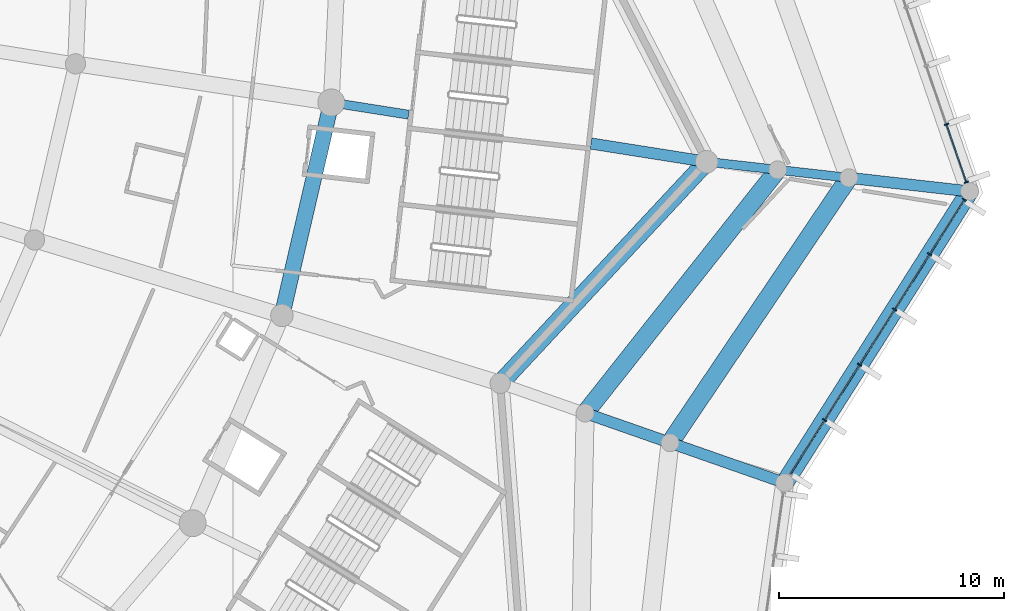
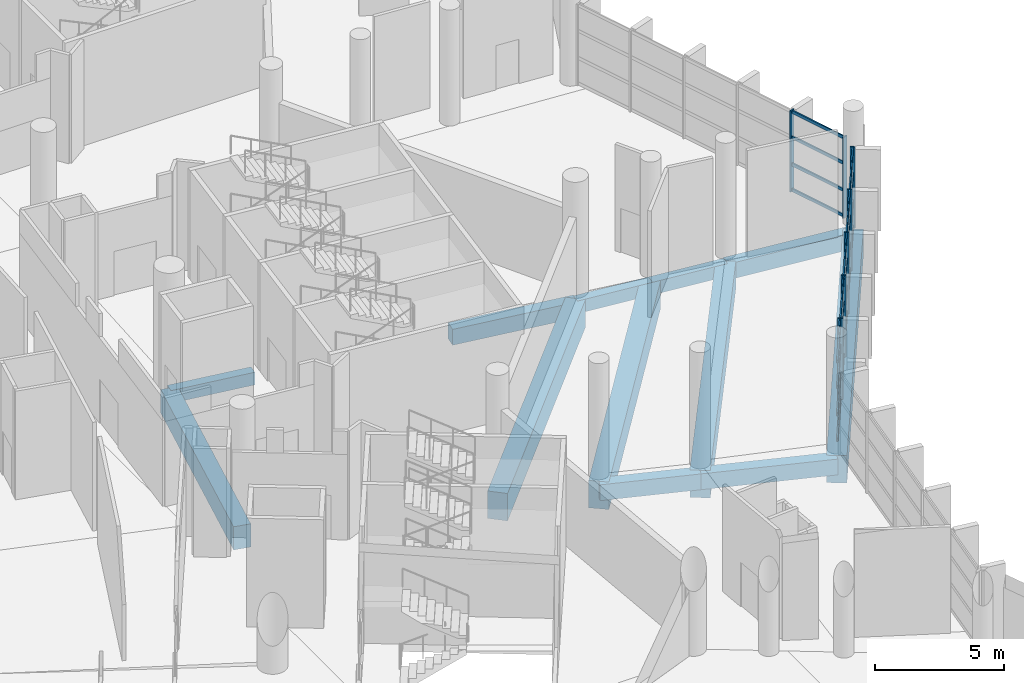
# One storey, part 53 of 271: 31 members, 12 beams, 2 elements without a shape of their own.
"""IFC4 building model written with IfcOpenShell, lengths in metres."""

from ifc_helpers import new_model, si_unit, direction, frame, origin, origin_2d, place, context, subcontext, project, spatial, rectangle, extrude, material, layer, layer_set, material_profile, profile_set, type_object, element, aggregate, save


model = new_model("IFC4")

# Units and contexts
model_context = context("Model", 3, precision=1e-05, world=origin(), true_north=direction((0.0, 1.0)))
body_context = subcontext(model_context, "Body", "Model", "MODEL_VIEW")
ifc_project = project(units=[si_unit("LENGTHUNIT", "METRE"), si_unit("AREAUNIT", "SQUARE_METRE"), si_unit("VOLUMEUNIT", "CUBIC_METRE"), si_unit("PLANEANGLEUNIT", "RADIAN"), si_unit("MASSUNIT", "GRAM", prefix="KILO")], contexts=[model_context])

# Site, building, storey
site_placement = place(None, origin())
site = spatial("IfcSite", under=ifc_project, at=site_placement, CompositionType="ELEMENT")
building_placement = place(site_placement, origin())
building = spatial("IfcBuilding", under=site, at=building_placement, Name="Meseta Stadium", CompositionType="ELEMENT")
storey_placement = place(building_placement, frame((0.0, 0.0, 6.5)))
storey = spatial("IfcBuildingStorey", under=building, at=storey_placement, Name="L01", CompositionType="ELEMENT", Elevation=6.5)

# Beams
ifc_material_1 = material(Name="Concrete C40/50", Category="concrete")
ifc_material_profile_1 = material_profile(ifc_material_1, rectangle(XDim=0.39990234375, YDim=0.60009765625, at=origin_2d()), Name="RC 400x600")
ifc_profile_set_1 = profile_set([ifc_material_profile_1], Name="Concrete C40/50")
beam_type_1 = type_object("IfcBeamType", Name="RC beam 400x600", PredefinedType="BEAM", material=ifc_profile_set_1)
beam_1_placement = place(storey_placement, frame((84.36328125, -53.5654296875, -0.64990234375), z_axis=(0.987745905014, -0.156070583799, 0.0), x_axis=(0.156070583799, 0.987745905014, 0.0)))
element("IfcBeam", 1, at=beam_1_placement, inside=storey, type_object=beam_type_1, Name="L01 radial beam frame 0 line P to R", PredefinedType="BEAM", context=body_context, shape_type="SweptSolid", body=[
    extrude(rectangle(XDim=0.39990234375, YDim=0.60009765625, at=origin_2d()), origin(), (0.0, 0.0, 1.0), 3.482177734375),
])
beam_2_placement = place(storey_placement, frame((101.0517578125, -56.202880859375, -0.64990234375), z_axis=(0.99371595508, -0.111931231652, 0.0), x_axis=(0.111931231652, 0.99371595508, 0.0)))
element("IfcBeam", 2, at=beam_2_placement, inside=storey, type_object=beam_type_1, Name="L01 radial beam frame 0 line R to M", PredefinedType="BEAM", context=body_context, shape_type="SweptSolid", body=[
    extrude(rectangle(XDim=0.39990234375, YDim=0.60009765625, at=origin_2d()), origin(), (0.0, 0.0, 1.0), 3.18017578125),
])
beam_3_placement = place(storey_placement, frame((104.2119140625, -56.558837890625, -0.64990234375), z_axis=(0.993708376267, -0.111998495247, 0.0), x_axis=(0.111998495247, 0.993708376267, 0.0)))
element("IfcBeam", 3, at=beam_3_placement, inside=storey, type_object=beam_type_1, Name="L01 radial beam frame 0 line M to Q", PredefinedType="BEAM", context=body_context, shape_type="SweptSolid", body=[
    extrude(rectangle(XDim=0.39990234375, YDim=0.60009765625, at=origin_2d()), origin(), (0.0, 0.0, 1.0), 3.180419921875),
])
ifc_material_2 = material(Name="Concrete C40/50", Category="concrete")
ifc_material_profile_2 = material_profile(ifc_material_2, rectangle(XDim=0.5, YDim=0.75, at=origin_2d()), Name="RC 500x750")
ifc_profile_set_2 = profile_set([ifc_material_profile_2], Name="Concrete C40/50")
beam_type_2 = type_object("IfcBeamType", Name="RC beam 500x750", PredefinedType="BEAM", material=ifc_profile_set_2)
beam_4_placement = place(storey_placement, frame((95.910400390625, -55.390380859375, -0.72509765625), z_axis=(0.987742039994, -0.156095042932, 0.0), x_axis=(0.156095042932, 0.987742039994, 0.0)))
element("IfcBeam", 4, at=beam_4_placement, inside=storey, type_object=beam_type_2, Name="L01 radial beam frame 0 line P to R", PredefinedType="BEAM", context=body_context, shape_type="SweptSolid", body=[
    extrude(rectangle(XDim=0.5, YDim=0.75, at=origin_2d()), origin(), (0.0, 0.0, 1.0), 5.205078125),
])
beam_5_placement = place(storey_placement, frame((107.372314453125, -56.9150390625, -0.72509765625), z_axis=(0.993714415722, -0.111944897098, 0.0), x_axis=(0.111944897098, 0.993714415722, 0.0)))
element("IfcBeam", 5, at=beam_5_placement, inside=storey, type_object=beam_type_2, Name="L01 radial beam frame 0 line Q to O", PredefinedType="BEAM", context=body_context, shape_type="SweptSolid", body=[
    extrude(rectangle(XDim=0.5, YDim=0.75, at=origin_2d()), origin(), (0.0, 0.0, 1.0), 5.39990234375),
])
beam_6_placement = place(storey_placement, frame((95.648193359375, -67.372802734375, -0.72509765625), z_axis=(0.94389165523, -0.330255269735, 0.0), x_axis=(0.330255269735, 0.94389165523, 0.0)))
element("IfcBeam", 6, at=beam_6_placement, inside=storey, type_object=beam_type_2, Name="L01 radial beam frame 55 line M to Q", PredefinedType="BEAM", context=body_context, shape_type="SweptSolid", body=[
    extrude(rectangle(XDim=0.5, YDim=0.75, at=origin_2d()), origin(), (0.0, 0.0, 1.0), 4.0),
])
beam_7_placement = place(storey_placement, frame((99.423828125, -68.69384765625, -0.72509765625), z_axis=(0.943885842652, -0.330271882003, 0.0), x_axis=(0.330271882003, 0.943885842652, 0.0)))
element("IfcBeam", 7, at=beam_7_placement, inside=storey, type_object=beam_type_2, Name="L01 radial beam frame 55 line Q to O", PredefinedType="BEAM", context=body_context, shape_type="SweptSolid", body=[
    extrude(rectangle(XDim=0.5, YDim=0.75, at=origin_2d()), origin(), (0.0, 0.0, 1.0), 5.39990234375),
])
ifc_material_3 = material(Name="Concrete C40/50", Category="concrete")
ifc_material_profile_3 = material_profile(ifc_material_3, rectangle(XDim=0.699951171875, YDim=1.10009765625, at=origin_2d()), Name="RC 700x1100")
ifc_profile_set_3 = profile_set([ifc_material_profile_3], Name="Concrete C40/50")
beam_type_3 = type_object("IfcBeamType", Name="RC beam 700x1100", PredefinedType="BEAM", material=ifc_profile_set_3)
beam_8_placement = place(storey_placement, frame((82.169189453125, -63.03369140625, -0.89990234375), z_axis=(0.225749180431, 0.974185458491, 0.0), x_axis=(-0.974185458491, 0.225749180431, 0.0)))
element("IfcBeam", 8, at=beam_8_placement, inside=storey, type_object=beam_type_3, Name="L01 ring beam frame 55 line P", PredefinedType="BEAM", context=body_context, shape_type="SweptSolid", body=[
    extrude(rectangle(XDim=0.699951171875, YDim=1.10009765625, at=origin_2d()), origin(), (0.0, 0.0, 1.0), 9.71923828125),
])
ifc_material_4 = material(Name="Concrete C40/50", Category="concrete")
ifc_material_profile_4 = material_profile(ifc_material_4, rectangle(XDim=0.800048828125, YDim=1.300048828125, at=origin_2d()), Name="RC 800x1300")
ifc_profile_set_4 = profile_set([ifc_material_profile_4], Name="Concrete C40/50")
beam_type_4 = type_object("IfcBeamType", Name="RC beam 800x1300", PredefinedType="BEAM", material=ifc_profile_set_4)
beam_9_placement = place(storey_placement, frame((91.872802734375, -66.051513671875, -1.0), z_axis=(0.681797952889, 0.73154053301, 0.0), x_axis=(-0.73154053301, 0.681797952889, 0.0)))
element("IfcBeam", 9, at=beam_9_placement, inside=storey, type_object=beam_type_4, Name="L01 ring beam frame 55 line R", PredefinedType="BEAM", context=body_context, shape_type="SweptSolid", body=[
    extrude(rectangle(XDim=0.800048828125, YDim=1.300048828125, at=origin_2d()), origin(), (0.0, 0.0, 1.0), 13.462890625),
])
beam_10_placement = place(storey_placement, frame((95.648193359375, -67.372802734375, -1.0), z_axis=(0.620821710153, 0.783951786912, 0.0), x_axis=(-0.783951786912, 0.620821710153, 0.0)))
element("IfcBeam", 10, at=beam_10_placement, inside=storey, type_object=beam_type_4, Name="L01 ring beam frame 55 line M", PredefinedType="BEAM", context=body_context, shape_type="SweptSolid", body=[
    extrude(rectangle(XDim=0.800048828125, YDim=1.300048828125, at=origin_2d()), origin(), (0.0, 0.0, 1.0), 13.794189453125),
])
beam_11_placement = place(storey_placement, frame((99.423828125, -68.69384765625, -1.0), z_axis=(0.559366030795, 0.828920770395, 0.0), x_axis=(-0.828920770395, 0.559366030795, 0.0)))
element("IfcBeam", 11, at=beam_11_placement, inside=storey, type_object=beam_type_4, Name="L01 ring beam frame 55 line Q", PredefinedType="BEAM", context=body_context, shape_type="SweptSolid", body=[
    extrude(rectangle(XDim=0.800048828125, YDim=1.300048828125, at=origin_2d()), origin(), (0.0, 0.0, 1.0), 14.209716796875),
])
beam_12_placement = place(storey_placement, frame((104.520751953125, -70.477294921875, -1.0), z_axis=(0.535561122927, 0.844496467493, 0.0), x_axis=(-0.844496467493, 0.535561122927, 0.0)))
element("IfcBeam", 12, at=beam_12_placement, inside=storey, type_object=beam_type_4, Name="L01 ring beam frame 55 line O", PredefinedType="BEAM", context=body_context, shape_type="SweptSolid", body=[
    extrude(rectangle(XDim=0.800048828125, YDim=1.300048828125, at=origin_2d()), origin(), (0.0, 0.0, 1.0), 15.34375),
])

# Curtain wall, members
ifc_material_5 = material(Name="Aluminium", Category="aluminium")
ifc_layer = layer(ifc_material_5, 0.199951171875)
ifc_layer_set = layer_set([ifc_layer], Name="Ring shopfront curtain wall")
curtain_wall_type = type_object("IfcCurtainWallType", Name="Ring shopfront curtain wall", PredefinedType="NOTDEFINED", material=ifc_layer_set)
curtain_wall_1_placement = place(storey_placement, origin())
curtain_wall_1 = element("IfcCurtainWall", 13, at=curtain_wall_1_placement, inside=storey, type_object=curtain_wall_type, Name="Ring glazing L01 F55", PredefinedType="NOTDEFINED")
ifc_material_6 = material(Name="Aluminium", Category="aluminium")
ifc_material_profile_5 = material_profile(ifc_material_6, rectangle(XDim=0.199951171875, YDim=0.06005859375, at=origin_2d()), Name="CW 200x60")
ifc_profile_set_5 = profile_set([ifc_material_profile_5], Name="Aluminium")
member_type_1 = type_object("IfcMemberType", Name="Ring CW mullion 60x200", PredefinedType="MULLION", material=ifc_profile_set_5)
member_1_placement = place(storey_placement, frame((106.292724609375, -67.68310546875, 0.0), z_axis=(0.0, 0.0, 1.0), x_axis=(-0.844491436677, 0.535569055659, 0.0)))
member_1 = element("IfcMember", 14, at=member_1_placement, type_object=member_type_1, Name="CWR1 mullion 2", PredefinedType="MULLION", context=body_context, shape_type="SweptSolid", body=[
    extrude(rectangle(XDim=0.199951171875, YDim=0.06005859375, at=origin_2d()), origin(), (0.0, 0.0, 1.0), 3.85009765625),
])
member_2_placement = place(storey_placement, frame((107.8505859375, -65.2265625, 0.0), z_axis=(0.0, 0.0, 1.0), x_axis=(-0.844491436677, 0.535569055659, 0.0)))
member_2 = element("IfcMember", 15, at=member_2_placement, type_object=member_type_1, Name="CWR1 mullion 3", PredefinedType="MULLION", context=body_context, shape_type="SweptSolid", body=[
    extrude(rectangle(XDim=0.199951171875, YDim=0.06005859375, at=origin_2d()), origin(), (0.0, 0.0, 1.0), 3.85009765625),
])
member_3_placement = place(storey_placement, frame((109.408447265625, -62.770263671875, 0.0), z_axis=(0.0, 0.0, 1.0), x_axis=(-0.844491436677, 0.535569055659, 0.0)))
member_3 = element("IfcMember", 16, at=member_3_placement, type_object=member_type_1, Name="CWR1 mullion 4", PredefinedType="MULLION", context=body_context, shape_type="SweptSolid", body=[
    extrude(rectangle(XDim=0.199951171875, YDim=0.06005859375, at=origin_2d()), origin(), (0.0, 0.0, 1.0), 3.85009765625),
])
member_4_placement = place(storey_placement, frame((110.96630859375, -60.313720703125, 0.0), z_axis=(0.0, 0.0, 1.0), x_axis=(-0.844491436677, 0.535569055659, 0.0)))
member_4 = element("IfcMember", 17, at=member_4_placement, type_object=member_type_1, Name="CWR1 mullion 5", PredefinedType="MULLION", context=body_context, shape_type="SweptSolid", body=[
    extrude(rectangle(XDim=0.199951171875, YDim=0.06005859375, at=origin_2d()), origin(), (0.0, 0.0, 1.0), 3.85009765625),
])
member_5_placement = place(storey_placement, frame((112.508056640625, -57.8828125, 0.0), z_axis=(0.0, 0.0, 1.0), x_axis=(-0.844491436677, 0.535569055659, 0.0)))
member_5 = element("IfcMember", 18, at=member_5_placement, type_object=member_type_1, Name="CWR1 mullion 6", PredefinedType="MULLION", context=body_context, shape_type="SweptSolid", body=[
    extrude(rectangle(XDim=0.199951171875, YDim=0.06005859375, at=origin_2d()), origin(), (0.0, 0.0, 1.0), 3.85009765625),
])

curtain_wall_2_placement = place(storey_placement, origin())
curtain_wall_2 = element("IfcCurtainWall", 19, at=curtain_wall_2_placement, inside=storey, type_object=curtain_wall_type, Name="Ring glazing L01 F00", PredefinedType="NOTDEFINED")
member_6_placement = place(storey_placement, frame((112.598388671875, -57.113037109375, 0.0), z_axis=(0.0, 0.0, 1.0), x_axis=(-0.945581280042, -0.325385990532, 0.0)))
member_6 = element("IfcMember", 20, at=member_6_placement, type_object=member_type_1, Name="CWR1 mullion 1", PredefinedType="MULLION", context=body_context, shape_type="SweptSolid", body=[
    extrude(rectangle(XDim=0.199951171875, YDim=0.06005859375, at=origin_2d()), origin(), (0.0, 0.0, 1.0), 3.85009765625),
])
member_7_placement = place(storey_placement, frame((111.712646484375, -54.538818359375, 0.0), z_axis=(0.0, 0.0, 1.0), x_axis=(-0.945581280042, -0.325385990532, 0.0)))
member_7 = element("IfcMember", 21, at=member_7_placement, type_object=member_type_1, Name="CWR1 mullion 2", PredefinedType="MULLION", context=body_context, shape_type="SweptSolid", body=[
    extrude(rectangle(XDim=0.199951171875, YDim=0.06005859375, at=origin_2d()), origin(), (0.0, 0.0, 1.0), 3.85009765625),
])

# Member
ifc_material_7 = material(Name="Aluminium", Category="aluminium")
ifc_material_profile_6 = material_profile(ifc_material_7, rectangle(XDim=0.06005859375, YDim=0.14990234375, at=origin_2d()), Name="CW 60x150")
ifc_profile_set_6 = profile_set([ifc_material_profile_6], Name="Aluminium")
member_type_2 = type_object("IfcMemberType", Name="Ring CW transom 60x150", PredefinedType="USERDEFINED", material=ifc_profile_set_6)
member_8_placement = place(storey_placement, frame((104.76708984375, -70.0888671875, 0.074951171875), z_axis=(0.53560831474, 0.844466537632, 0.0), x_axis=(-0.844466537632, 0.53560831474, 0.0)))
member_8 = element("IfcMember", 22, at=member_8_placement, type_object=member_type_2, Name="CWR1 transom 1.1", ObjectType="TRANSOM", PredefinedType="USERDEFINED", context=body_context, shape_type="SweptSolid", body=[
    extrude(rectangle(XDim=0.06005859375, YDim=0.14990234375, at=origin_2d()), origin(), (0.0, 0.0, 1.0), 2.81884765625),
])

member_9_placement = place(storey_placement, frame((104.76708984375, -70.0888671875, 1.283447265625), z_axis=(0.53560831474, 0.844466537632, 0.0), x_axis=(-0.844466537632, 0.53560831474, 0.0)))
member_9 = element("IfcMember", 23, at=member_9_placement, type_object=member_type_2, Name="CWR1 transom 1.2", ObjectType="TRANSOM", PredefinedType="USERDEFINED", context=body_context, shape_type="SweptSolid", body=[
    extrude(rectangle(XDim=0.06005859375, YDim=0.14990234375, at=origin_2d()), origin(), (0.0, 0.0, 1.0), 2.81884765625),
])

member_10_placement = place(storey_placement, frame((104.76708984375, -70.0888671875, 2.566650390625), z_axis=(0.53560831474, 0.844466537632, 0.0), x_axis=(-0.844466537632, 0.53560831474, 0.0)))
member_10 = element("IfcMember", 24, at=member_10_placement, type_object=member_type_2, Name="CWR1 transom 1.3", ObjectType="TRANSOM", PredefinedType="USERDEFINED", context=body_context, shape_type="SweptSolid", body=[
    extrude(rectangle(XDim=0.06005859375, YDim=0.14990234375, at=origin_2d()), origin(), (0.0, 0.0, 1.0), 2.81884765625),
])

member_11_placement = place(storey_placement, frame((104.76708984375, -70.0888671875, 3.77490234375), z_axis=(0.53560831474, 0.844466537632, 0.0), x_axis=(-0.844466537632, 0.53560831474, 0.0)))
member_11 = element("IfcMember", 25, at=member_11_placement, type_object=member_type_2, Name="CWR1 transom 1.4", ObjectType="TRANSOM", PredefinedType="USERDEFINED", context=body_context, shape_type="SweptSolid", body=[
    extrude(rectangle(XDim=0.06005859375, YDim=0.14990234375, at=origin_2d()), origin(), (0.0, 0.0, 1.0), 2.81884765625),
])

member_12_placement = place(storey_placement, frame((106.308837890625, -67.65771484375, 0.074951171875), z_axis=(0.535610596293, 0.844465090539, 0.0), x_axis=(-0.844465090539, 0.535610596293, 0.0)))
member_12 = element("IfcMember", 26, at=member_12_placement, type_object=member_type_2, Name="CWR1 transom 2.1", ObjectType="TRANSOM", PredefinedType="USERDEFINED", context=body_context, shape_type="SweptSolid", body=[
    extrude(rectangle(XDim=0.06005859375, YDim=0.14990234375, at=origin_2d()), origin(), (0.0, 0.0, 1.0), 2.848876953125),
])

member_13_placement = place(storey_placement, frame((106.308837890625, -67.65771484375, 1.283447265625), z_axis=(0.535610596293, 0.844465090539, 0.0), x_axis=(-0.844465090539, 0.535610596293, 0.0)))
member_13 = element("IfcMember", 27, at=member_13_placement, type_object=member_type_2, Name="CWR1 transom 2.2", ObjectType="TRANSOM", PredefinedType="USERDEFINED", context=body_context, shape_type="SweptSolid", body=[
    extrude(rectangle(XDim=0.06005859375, YDim=0.14990234375, at=origin_2d()), origin(), (0.0, 0.0, 1.0), 2.848876953125),
])

member_14_placement = place(storey_placement, frame((106.308837890625, -67.65771484375, 2.566650390625), z_axis=(0.535610596293, 0.844465090539, 0.0), x_axis=(-0.844465090539, 0.535610596293, 0.0)))
member_14 = element("IfcMember", 28, at=member_14_placement, type_object=member_type_2, Name="CWR1 transom 2.3", ObjectType="TRANSOM", PredefinedType="USERDEFINED", context=body_context, shape_type="SweptSolid", body=[
    extrude(rectangle(XDim=0.06005859375, YDim=0.14990234375, at=origin_2d()), origin(), (0.0, 0.0, 1.0), 2.848876953125),
])

member_15_placement = place(storey_placement, frame((106.308837890625, -67.65771484375, 3.77490234375), z_axis=(0.535610596293, 0.844465090539, 0.0), x_axis=(-0.844465090539, 0.535610596293, 0.0)))
member_15 = element("IfcMember", 29, at=member_15_placement, type_object=member_type_2, Name="CWR1 transom 2.4", ObjectType="TRANSOM", PredefinedType="USERDEFINED", context=body_context, shape_type="SweptSolid", body=[
    extrude(rectangle(XDim=0.06005859375, YDim=0.14990234375, at=origin_2d()), origin(), (0.0, 0.0, 1.0), 2.848876953125),
])

member_16_placement = place(storey_placement, frame((107.86669921875, -65.201416015625, 0.074951171875), z_axis=(0.535549479234, 0.844503851556, 0.0), x_axis=(-0.844503851556, 0.535549479234, 0.0)))
member_16 = element("IfcMember", 30, at=member_16_placement, type_object=member_type_2, Name="CWR1 transom 3.1", ObjectType="TRANSOM", PredefinedType="USERDEFINED", context=body_context, shape_type="SweptSolid", body=[
    extrude(rectangle(XDim=0.06005859375, YDim=0.14990234375, at=origin_2d()), origin(), (0.0, 0.0, 1.0), 2.8486328125),
])

member_17_placement = place(storey_placement, frame((107.86669921875, -65.201416015625, 1.283447265625), z_axis=(0.535549479234, 0.844503851556, 0.0), x_axis=(-0.844503851556, 0.535549479234, 0.0)))
member_17 = element("IfcMember", 31, at=member_17_placement, type_object=member_type_2, Name="CWR1 transom 3.2", ObjectType="TRANSOM", PredefinedType="USERDEFINED", context=body_context, shape_type="SweptSolid", body=[
    extrude(rectangle(XDim=0.06005859375, YDim=0.14990234375, at=origin_2d()), origin(), (0.0, 0.0, 1.0), 2.8486328125),
])

member_18_placement = place(storey_placement, frame((107.86669921875, -65.201416015625, 2.566650390625), z_axis=(0.535549479234, 0.844503851556, 0.0), x_axis=(-0.844503851556, 0.535549479234, 0.0)))
member_18 = element("IfcMember", 32, at=member_18_placement, type_object=member_type_2, Name="CWR1 transom 3.3", ObjectType="TRANSOM", PredefinedType="USERDEFINED", context=body_context, shape_type="SweptSolid", body=[
    extrude(rectangle(XDim=0.06005859375, YDim=0.14990234375, at=origin_2d()), origin(), (0.0, 0.0, 1.0), 2.8486328125),
])

member_19_placement = place(storey_placement, frame((107.86669921875, -65.201416015625, 3.77490234375), z_axis=(0.535549479234, 0.844503851556, 0.0), x_axis=(-0.844503851556, 0.535549479234, 0.0)))
member_19 = element("IfcMember", 33, at=member_19_placement, type_object=member_type_2, Name="CWR1 transom 3.4", ObjectType="TRANSOM", PredefinedType="USERDEFINED", context=body_context, shape_type="SweptSolid", body=[
    extrude(rectangle(XDim=0.06005859375, YDim=0.14990234375, at=origin_2d()), origin(), (0.0, 0.0, 1.0), 2.8486328125),
])

member_20_placement = place(storey_placement, frame((109.424560546875, -62.744873046875, 0.074951171875), z_axis=(0.535549479234, 0.844503851556, 0.0), x_axis=(-0.844503851556, 0.535549479234, 0.0)))
member_20 = element("IfcMember", 34, at=member_20_placement, type_object=member_type_2, Name="CWR1 transom 4.1", ObjectType="TRANSOM", PredefinedType="USERDEFINED", context=body_context, shape_type="SweptSolid", body=[
    extrude(rectangle(XDim=0.06005859375, YDim=0.14990234375, at=origin_2d()), origin(), (0.0, 0.0, 1.0), 2.8486328125),
])

member_21_placement = place(storey_placement, frame((109.424560546875, -62.744873046875, 1.283447265625), z_axis=(0.535549479234, 0.844503851556, 0.0), x_axis=(-0.844503851556, 0.535549479234, 0.0)))
member_21 = element("IfcMember", 35, at=member_21_placement, type_object=member_type_2, Name="CWR1 transom 4.2", ObjectType="TRANSOM", PredefinedType="USERDEFINED", context=body_context, shape_type="SweptSolid", body=[
    extrude(rectangle(XDim=0.06005859375, YDim=0.14990234375, at=origin_2d()), origin(), (0.0, 0.0, 1.0), 2.8486328125),
])

member_22_placement = place(storey_placement, frame((109.424560546875, -62.744873046875, 2.566650390625), z_axis=(0.535549479234, 0.844503851556, 0.0), x_axis=(-0.844503851556, 0.535549479234, 0.0)))
member_22 = element("IfcMember", 36, at=member_22_placement, type_object=member_type_2, Name="CWR1 transom 4.3", ObjectType="TRANSOM", PredefinedType="USERDEFINED", context=body_context, shape_type="SweptSolid", body=[
    extrude(rectangle(XDim=0.06005859375, YDim=0.14990234375, at=origin_2d()), origin(), (0.0, 0.0, 1.0), 2.8486328125),
])

member_23_placement = place(storey_placement, frame((109.424560546875, -62.744873046875, 3.77490234375), z_axis=(0.535549479234, 0.844503851556, 0.0), x_axis=(-0.844503851556, 0.535549479234, 0.0)))
member_23 = element("IfcMember", 37, at=member_23_placement, type_object=member_type_2, Name="CWR1 transom 4.4", ObjectType="TRANSOM", PredefinedType="USERDEFINED", context=body_context, shape_type="SweptSolid", body=[
    extrude(rectangle(XDim=0.06005859375, YDim=0.14990234375, at=origin_2d()), origin(), (0.0, 0.0, 1.0), 2.8486328125),
])

member_24_placement = place(storey_placement, frame((110.982421875, -60.28857421875, 0.074951171875), z_axis=(0.535569142157, 0.84449138182, 0.0), x_axis=(-0.84449138182, 0.535569142157, 0.0)))
member_24 = element("IfcMember", 38, at=member_24_placement, type_object=member_type_2, Name="CWR1 transom 5.1", ObjectType="TRANSOM", PredefinedType="USERDEFINED", context=body_context, shape_type="SweptSolid", body=[
    extrude(rectangle(XDim=0.06005859375, YDim=0.14990234375, at=origin_2d()), origin(), (0.0, 0.0, 1.0), 2.819091796875),
])

member_25_placement = place(storey_placement, frame((110.982421875, -60.28857421875, 1.283447265625), z_axis=(0.535569142157, 0.84449138182, 0.0), x_axis=(-0.84449138182, 0.535569142157, 0.0)))
member_25 = element("IfcMember", 39, at=member_25_placement, type_object=member_type_2, Name="CWR1 transom 5.2", ObjectType="TRANSOM", PredefinedType="USERDEFINED", context=body_context, shape_type="SweptSolid", body=[
    extrude(rectangle(XDim=0.06005859375, YDim=0.14990234375, at=origin_2d()), origin(), (0.0, 0.0, 1.0), 2.819091796875),
])

member_26_placement = place(storey_placement, frame((110.982421875, -60.28857421875, 2.566650390625), z_axis=(0.535569142157, 0.84449138182, 0.0), x_axis=(-0.84449138182, 0.535569142157, 0.0)))
member_26 = element("IfcMember", 40, at=member_26_placement, type_object=member_type_2, Name="CWR1 transom 5.3", ObjectType="TRANSOM", PredefinedType="USERDEFINED", context=body_context, shape_type="SweptSolid", body=[
    extrude(rectangle(XDim=0.06005859375, YDim=0.14990234375, at=origin_2d()), origin(), (0.0, 0.0, 1.0), 2.819091796875),
])

member_27_placement = place(storey_placement, frame((110.982421875, -60.28857421875, 3.77490234375), z_axis=(0.535569142157, 0.84449138182, 0.0), x_axis=(-0.84449138182, 0.535569142157, 0.0)))
member_27 = element("IfcMember", 41, at=member_27_placement, type_object=member_type_2, Name="CWR1 transom 5.4", ObjectType="TRANSOM", PredefinedType="USERDEFINED", context=body_context, shape_type="SweptSolid", body=[
    extrude(rectangle(XDim=0.06005859375, YDim=0.14990234375, at=origin_2d()), origin(), (0.0, 0.0, 1.0), 2.819091796875),
])

aggregate(curtain_wall_1, [member_1, member_2, member_3, member_4, member_5, member_8, member_9, member_10, member_11, member_12, member_13, member_14, member_15, member_16, member_17, member_18, member_19, member_20, member_21, member_22, member_23, member_24, member_25, member_26, member_27])

member_28_placement = place(storey_placement, frame((112.588623046875, -57.084716796875, 0.074951171875), z_axis=(-0.325346281899, 0.945594943332, 0.0), x_axis=(-0.945594943332, -0.325346281899, 0.0)))
member_28 = element("IfcMember", 42, at=member_28_placement, type_object=member_type_2, Name="CWR1 transom 1.1", ObjectType="TRANSOM", PredefinedType="USERDEFINED", context=body_context, shape_type="SweptSolid", body=[
    extrude(rectangle(XDim=0.06005859375, YDim=0.14990234375, at=origin_2d()), origin(), (0.0, 0.0, 1.0), 2.662353515625),
])

member_29_placement = place(storey_placement, frame((112.588623046875, -57.084716796875, 1.283447265625), z_axis=(-0.325346281899, 0.945594943332, 0.0), x_axis=(-0.945594943332, -0.325346281899, 0.0)))
member_29 = element("IfcMember", 43, at=member_29_placement, type_object=member_type_2, Name="CWR1 transom 1.2", ObjectType="TRANSOM", PredefinedType="USERDEFINED", context=body_context, shape_type="SweptSolid", body=[
    extrude(rectangle(XDim=0.06005859375, YDim=0.14990234375, at=origin_2d()), origin(), (0.0, 0.0, 1.0), 2.662353515625),
])

member_30_placement = place(storey_placement, frame((112.588623046875, -57.084716796875, 2.566650390625), z_axis=(-0.325346281899, 0.945594943332, 0.0), x_axis=(-0.945594943332, -0.325346281899, 0.0)))
member_30 = element("IfcMember", 44, at=member_30_placement, type_object=member_type_2, Name="CWR1 transom 1.3", ObjectType="TRANSOM", PredefinedType="USERDEFINED", context=body_context, shape_type="SweptSolid", body=[
    extrude(rectangle(XDim=0.06005859375, YDim=0.14990234375, at=origin_2d()), origin(), (0.0, 0.0, 1.0), 2.662353515625),
])

member_31_placement = place(storey_placement, frame((112.588623046875, -57.084716796875, 3.77490234375), z_axis=(-0.325346281899, 0.945594943332, 0.0), x_axis=(-0.945594943332, -0.325346281899, 0.0)))
member_31 = element("IfcMember", 45, at=member_31_placement, type_object=member_type_2, Name="CWR1 transom 1.4", ObjectType="TRANSOM", PredefinedType="USERDEFINED", context=body_context, shape_type="SweptSolid", body=[
    extrude(rectangle(XDim=0.06005859375, YDim=0.14990234375, at=origin_2d()), origin(), (0.0, 0.0, 1.0), 2.662353515625),
])

aggregate(curtain_wall_2, [member_6, member_7, member_28, member_29, member_30, member_31])

save(model, "model.ifc")
